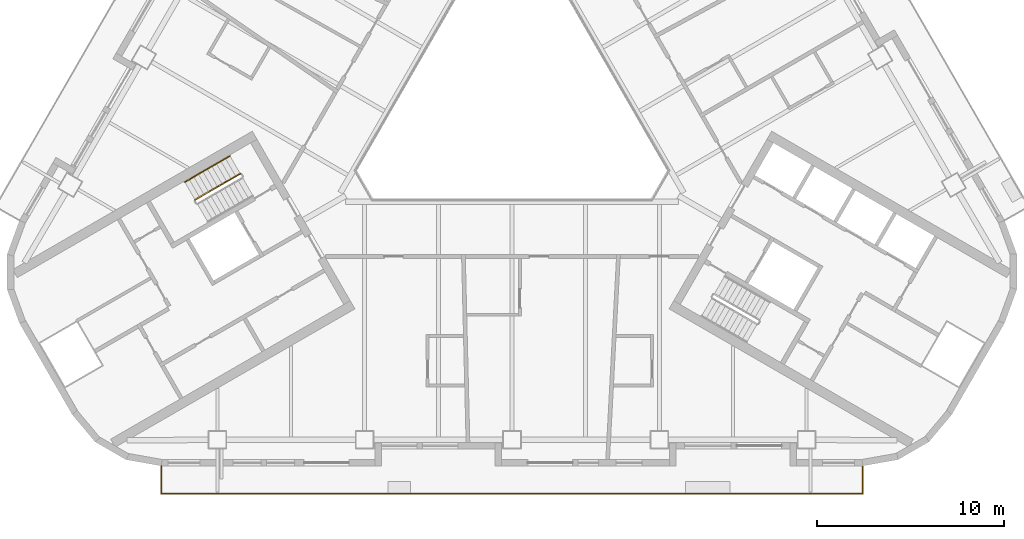
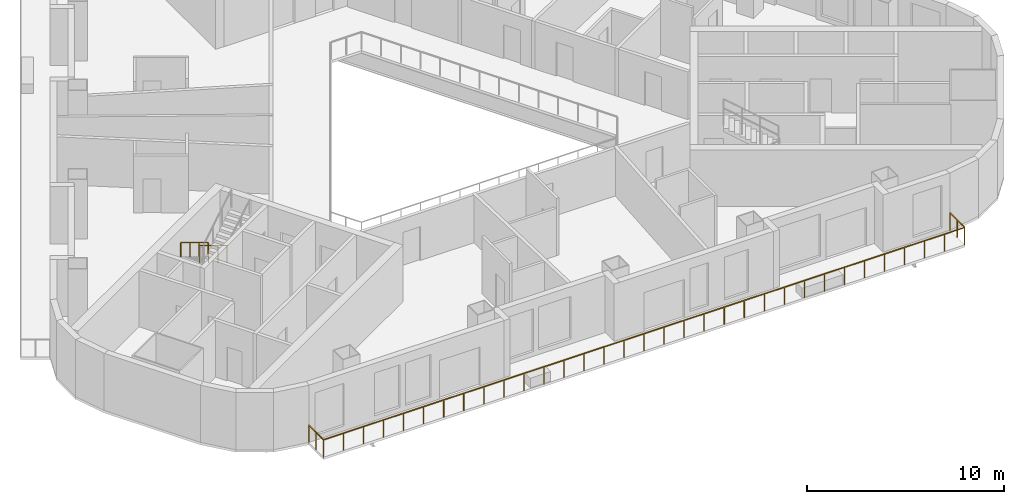
# One storey, part 9 of 13: 3 railings.
"""IFC4 building model written with IfcOpenShell, lengths in metres."""

from ifc_helpers import new_model, si_unit, direction, frame, origin, origin_2d, place, context, subcontext, project, spatial, rectangle, circle, extrude, material, type_object, element, save


model = new_model("IFC4")

# Units and contexts
model_context = context("Model", 3, precision=1e-05, world=origin(), true_north=direction((0.0, 1.0)))
body_context = subcontext(model_context, "Body", "Model", "MODEL_VIEW")
ifc_project = project(units=[si_unit("LENGTHUNIT", "METRE"), si_unit("AREAUNIT", "SQUARE_METRE"), si_unit("VOLUMEUNIT", "CUBIC_METRE"), si_unit("PLANEANGLEUNIT", "RADIAN"), si_unit("MASSUNIT", "GRAM", prefix="KILO")], contexts=[model_context])

# Site, building, storey
site_placement = place(None, origin())
site = spatial("IfcSite", under=ifc_project, at=site_placement, CompositionType="ELEMENT")
building_placement = place(site_placement, origin())
building = spatial("IfcBuilding", under=site, at=building_placement, Name="Apuvela Tower Hotel", CompositionType="ELEMENT")
storey_placement = place(building_placement, frame((0.0, 0.0, 79.800048828125)))
storey = spatial("IfcBuildingStorey", under=building, at=storey_placement, Name="L17", CompositionType="ELEMENT", Elevation=79.800048828125)

# Railings
ifc_material_1 = material(Name="Steel S275 balustrade", Category="steel")
railing_type_1 = type_object("IfcRailingType", Name="COR-GUARD-1100", PredefinedType="GUARDRAIL", material=ifc_material_1)
railing_1_placement = place(storey_placement, frame((-14.569091796875, -3.9658203125, 0.168212890625)))
element("IfcRailing", 1, at=railing_1_placement, inside=storey, type_object=railing_type_1, Name="L17 ST2 stair guard 1", PredefinedType="GUARDRAIL", context=body_context, shape_type="SweptSolid", body=[
    extrude(rectangle(XDim=0.048095703125, YDim=0.048095703125, at=origin_2d()), frame((0.0, 0.0, 1.076171875), z_axis=(-0.74241905619, -0.428617687091, 0.514879426), x_axis=(0.49998411664, -0.866034573852, 0.0)), (0.0, 0.0, 1.0), 3.26611328125),
    extrude(rectangle(XDim=0.0419921875, YDim=0.0419921875, at=origin_2d()), origin(), (0.0, 0.0, 1.0), 1.052001953125),
    extrude(rectangle(XDim=0.0419921875, YDim=0.0419921875, at=origin_2d()), frame((-0.808349609375, -0.466552734375, 0.560546875)), (0.0, 0.0, 1.0), 1.052001953125),
    extrude(rectangle(XDim=0.0419921875, YDim=0.0419921875, at=origin_2d()), frame((-1.616455078125, -0.933349609375, 1.12109375)), (0.0, 0.0, 1.0), 1.052001953125),
    extrude(rectangle(XDim=0.0419921875, YDim=0.0419921875, at=origin_2d()), frame((-2.4248046875, -1.39990234375, 1.681640625)), (0.0, 0.0, 1.0), 1.052001953125),
])
ifc_material_2 = material(Name="Stainless steel 316 handrail", Category="steel")
railing_type_2 = type_object("IfcRailingType", Name="COR-HANDRAIL-900", PredefinedType="HANDRAIL", material=ifc_material_2)
railing_2_placement = place(storey_placement, frame((-15.118896484375, -3.01318359375, 0.168212890625)))
element("IfcRailing", 2, at=railing_2_placement, inside=storey, type_object=railing_type_2, Name="L17 ST2 stair handrail 1", PredefinedType="HANDRAIL", context=body_context, shape_type="SweptSolid", body=[
    extrude(circle(Radius=0.02392578125, at=origin_2d()), frame((0.0, 0.0, 0.8759765625), z_axis=(-0.742452602333, -0.428593901316, 0.514850853203), x_axis=(0.49994636267, -0.866056369097, 0.0)), (0.0, 0.0, 1.0), 3.266357421875),
    extrude(rectangle(XDim=0.0419921875, YDim=0.0419921875, at=origin_2d()), origin(), (0.0, 0.0, 1.0), 0.851806640625),
    extrude(rectangle(XDim=0.0419921875, YDim=0.0419921875, at=origin_2d()), frame((-0.808349609375, -0.466552734375, 0.560546875)), (0.0, 0.0, 1.0), 0.851806640625),
    extrude(rectangle(XDim=0.0419921875, YDim=0.0419921875, at=origin_2d()), frame((-1.61669921875, -0.933349609375, 1.12109375)), (0.0, 0.0, 1.0), 0.851806640625),
    extrude(rectangle(XDim=0.0419921875, YDim=0.0419921875, at=origin_2d()), frame((-2.425048828125, -1.39990234375, 1.681640625)), (0.0, 0.0, 1.0), 0.851806640625),
])
ifc_material_3 = material(Name="Stainless steel 316 rail with laminated glass infill", Category="steel")
railing_type_3 = type_object("IfcRailingType", Name="ENV-GUARD-1100", PredefinedType="GUARDRAIL", material=ifc_material_3)
railing_3_placement = place(storey_placement, frame((-18.81591796875, -19.6298828125, 0.0)))
element("IfcRailing", 3, at=railing_3_placement, inside=storey, type_object=railing_type_3, Name="Balcony guard S L17", PredefinedType="GUARDRAIL", context=body_context, shape_type="SweptSolid", body=[
    extrude(rectangle(XDim=0.050048828125, YDim=0.050048828125, at=origin_2d()), frame((0.0, 0.0, 1.0751953125), z_axis=(0.0, -1.0, 0.0), x_axis=(1.0, 0.0, 0.0)), (0.0, 0.0, 1.0), 1.5),
    extrude(rectangle(XDim=0.050048828125, YDim=0.050048828125, at=origin_2d()), frame((0.0, -1.5, 1.0751953125), z_axis=(1.0, 0.0, 0.0), x_axis=(0.0, 1.0, 0.0)), (0.0, 0.0, 1.0), 37.6318359375),
    extrude(rectangle(XDim=0.050048828125, YDim=0.050048828125, at=origin_2d()), frame((37.6318359375, -1.5, 1.0751953125), z_axis=(0.0, 1.0, 0.0), x_axis=(-1.0, 0.0, 0.0)), (0.0, 0.0, 1.0), 1.5),
    extrude(rectangle(XDim=0.0400390625, YDim=0.0400390625, at=origin_2d()), origin(), (0.0, 0.0, 1.0), 1.050048828125),
    extrude(rectangle(XDim=0.0400390625, YDim=0.0400390625, at=origin_2d()), frame((0.0, -0.75, 0.0)), (0.0, 0.0, 1.0), 1.050048828125),
    extrude(rectangle(XDim=0.0400390625, YDim=0.0400390625, at=origin_2d()), frame((0.0, -1.5, 0.0)), (0.0, 0.0, 1.0), 1.050048828125),
    extrude(rectangle(XDim=0.0400390625, YDim=0.0400390625, at=origin_2d()), frame((1.176025390625, -1.5, 0.0)), (0.0, 0.0, 1.0), 1.050048828125),
    extrude(rectangle(XDim=0.0400390625, YDim=0.0400390625, at=origin_2d()), frame((2.35205078125, -1.5, 0.0)), (0.0, 0.0, 1.0), 1.050048828125),
    extrude(rectangle(XDim=0.0400390625, YDim=0.0400390625, at=origin_2d()), frame((3.528076171875, -1.5, 0.0)), (0.0, 0.0, 1.0), 1.050048828125),
    extrude(rectangle(XDim=0.0400390625, YDim=0.0400390625, at=origin_2d()), frame((4.7041015625, -1.5, 0.0)), (0.0, 0.0, 1.0), 1.050048828125),
    extrude(rectangle(XDim=0.0400390625, YDim=0.0400390625, at=origin_2d()), frame((5.8798828125, -1.5, 0.0)), (0.0, 0.0, 1.0), 1.050048828125),
    extrude(rectangle(XDim=0.0400390625, YDim=0.0400390625, at=origin_2d()), frame((7.055908203125, -1.5, 0.0)), (0.0, 0.0, 1.0), 1.050048828125),
    extrude(rectangle(XDim=0.0400390625, YDim=0.0400390625, at=origin_2d()), frame((8.23193359375, -1.5, 0.0)), (0.0, 0.0, 1.0), 1.050048828125),
    extrude(rectangle(XDim=0.0400390625, YDim=0.0400390625, at=origin_2d()), frame((9.407958984375, -1.5, 0.0)), (0.0, 0.0, 1.0), 1.050048828125),
    extrude(rectangle(XDim=0.0400390625, YDim=0.0400390625, at=origin_2d()), frame((10.583984375, -1.5, 0.0)), (0.0, 0.0, 1.0), 1.050048828125),
    extrude(rectangle(XDim=0.0400390625, YDim=0.0400390625, at=origin_2d()), frame((11.760009765625, -1.5, 0.0)), (0.0, 0.0, 1.0), 1.050048828125),
    extrude(rectangle(XDim=0.0400390625, YDim=0.0400390625, at=origin_2d()), frame((12.93603515625, -1.5, 0.0)), (0.0, 0.0, 1.0), 1.050048828125),
    extrude(rectangle(XDim=0.0400390625, YDim=0.0400390625, at=origin_2d()), frame((14.11181640625, -1.5, 0.0)), (0.0, 0.0, 1.0), 1.050048828125),
    extrude(rectangle(XDim=0.0400390625, YDim=0.0400390625, at=origin_2d()), frame((15.287841796875, -1.5, 0.0)), (0.0, 0.0, 1.0), 1.050048828125),
    extrude(rectangle(XDim=0.0400390625, YDim=0.0400390625, at=origin_2d()), frame((16.4638671875, -1.5, 0.0)), (0.0, 0.0, 1.0), 1.050048828125),
    extrude(rectangle(XDim=0.0400390625, YDim=0.0400390625, at=origin_2d()), frame((17.639892578125, -1.5, 0.0)), (0.0, 0.0, 1.0), 1.050048828125),
    extrude(rectangle(XDim=0.0400390625, YDim=0.0400390625, at=origin_2d()), frame((18.81591796875, -1.5, 0.0)), (0.0, 0.0, 1.0), 1.050048828125),
    extrude(rectangle(XDim=0.0400390625, YDim=0.0400390625, at=origin_2d()), frame((19.991943359375, -1.5, 0.0)), (0.0, 0.0, 1.0), 1.050048828125),
    extrude(rectangle(XDim=0.0400390625, YDim=0.0400390625, at=origin_2d()), frame((21.16796875, -1.5, 0.0)), (0.0, 0.0, 1.0), 1.050048828125),
    extrude(rectangle(XDim=0.0400390625, YDim=0.0400390625, at=origin_2d()), frame((22.343994140625, -1.5, 0.0)), (0.0, 0.0, 1.0), 1.050048828125),
    extrude(rectangle(XDim=0.0400390625, YDim=0.0400390625, at=origin_2d()), frame((23.52001953125, -1.5, 0.0)), (0.0, 0.0, 1.0), 1.050048828125),
    extrude(rectangle(XDim=0.0400390625, YDim=0.0400390625, at=origin_2d()), frame((24.69580078125, -1.5, 0.0)), (0.0, 0.0, 1.0), 1.050048828125),
    extrude(rectangle(XDim=0.0400390625, YDim=0.0400390625, at=origin_2d()), frame((25.871826171875, -1.5, 0.0)), (0.0, 0.0, 1.0), 1.050048828125),
    extrude(rectangle(XDim=0.0400390625, YDim=0.0400390625, at=origin_2d()), frame((27.0478515625, -1.5, 0.0)), (0.0, 0.0, 1.0), 1.050048828125),
    extrude(rectangle(XDim=0.0400390625, YDim=0.0400390625, at=origin_2d()), frame((28.223876953125, -1.5, 0.0)), (0.0, 0.0, 1.0), 1.050048828125),
    extrude(rectangle(XDim=0.0400390625, YDim=0.0400390625, at=origin_2d()), frame((29.39990234375, -1.5, 0.0)), (0.0, 0.0, 1.0), 1.050048828125),
    extrude(rectangle(XDim=0.0400390625, YDim=0.0400390625, at=origin_2d()), frame((30.575927734375, -1.5, 0.0)), (0.0, 0.0, 1.0), 1.050048828125),
    extrude(rectangle(XDim=0.0400390625, YDim=0.0400390625, at=origin_2d()), frame((31.751953125, -1.5, 0.0)), (0.0, 0.0, 1.0), 1.050048828125),
    extrude(rectangle(XDim=0.0400390625, YDim=0.0400390625, at=origin_2d()), frame((32.927734375, -1.5, 0.0)), (0.0, 0.0, 1.0), 1.050048828125),
    extrude(rectangle(XDim=0.0400390625, YDim=0.0400390625, at=origin_2d()), frame((34.103759765625, -1.5, 0.0)), (0.0, 0.0, 1.0), 1.050048828125),
    extrude(rectangle(XDim=0.0400390625, YDim=0.0400390625, at=origin_2d()), frame((35.27978515625, -1.5, 0.0)), (0.0, 0.0, 1.0), 1.050048828125),
    extrude(rectangle(XDim=0.0400390625, YDim=0.0400390625, at=origin_2d()), frame((36.455810546875, -1.5, 0.0)), (0.0, 0.0, 1.0), 1.050048828125),
    extrude(rectangle(XDim=0.0400390625, YDim=0.0400390625, at=origin_2d()), frame((37.6318359375, -1.5, 0.0)), (0.0, 0.0, 1.0), 1.050048828125),
    extrude(rectangle(XDim=0.0400390625, YDim=0.0400390625, at=origin_2d()), frame((37.6318359375, -0.75, 0.0)), (0.0, 0.0, 1.0), 1.050048828125),
    extrude(rectangle(XDim=0.0400390625, YDim=0.0400390625, at=origin_2d()), frame((37.6318359375, 0.0, 0.0)), (0.0, 0.0, 1.0), 1.050048828125),
])

save(model, "model.ifc")
